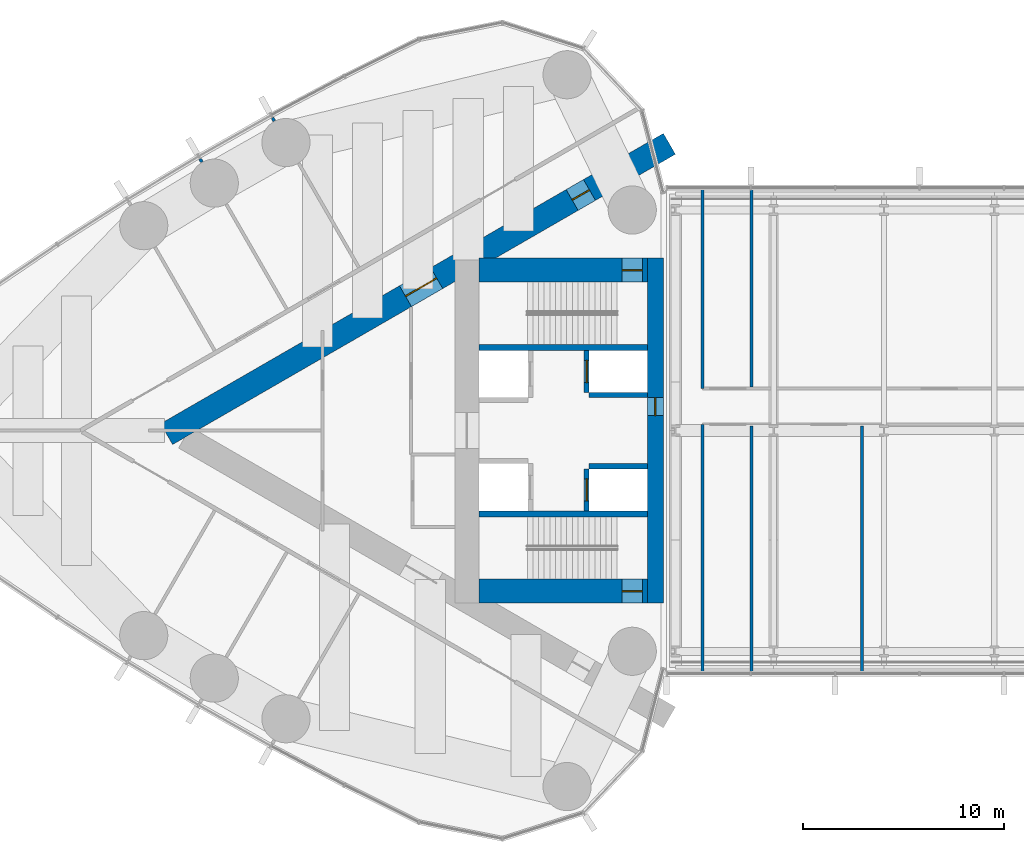
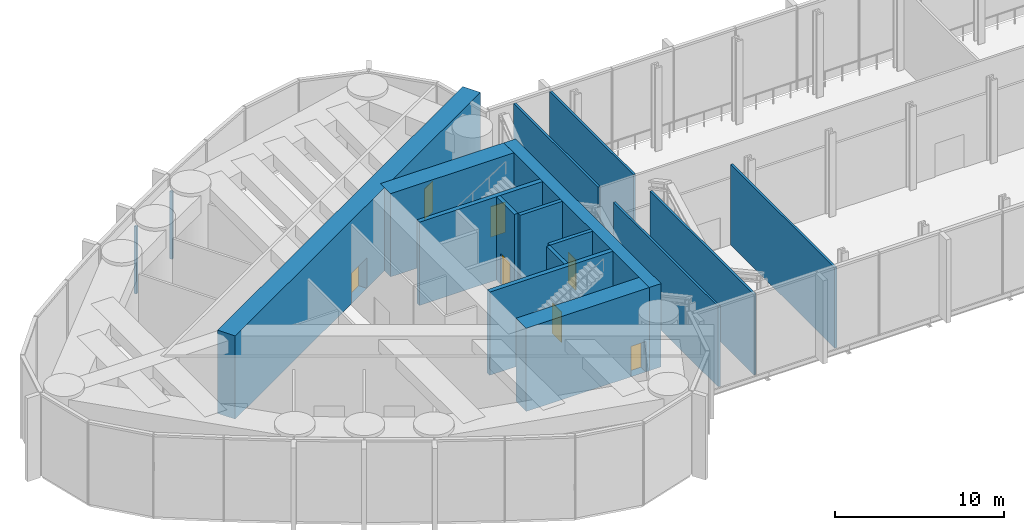
# One storey, part 16 of 21: 17 walls, 7 doors, 7 openings.
"""IFC4 building model written with IfcOpenShell, lengths in metres."""

import ifcopenshell
import ifcopenshell.guid

model = None  # the IFC model being written
_history = None  # IfcOwnerHistory: only IFC2X3 demands one
_inside = {}  # id of a spatial element -> (the spatial element, [elements in it])
_under = {}  # id of a project, library or spatial element -> (it, [spatial elements below it])
_declared = {}  # id of a project -> (the project, [libraries it declares])
_typed = {}  # id of a type object -> (the type object, [elements of that type])
_made_of = {}  # id of a material, layer set ... -> (it, [elements and type objects made of it])


def new_model(schema):
    """Start an empty IFC model of exactly this schema.

    Asked for "IFC4X3", IfcOpenShell would pick the latest addendum, in which some entities
    have other attributes; the version numbers below select the first issue.
    IFC2X3 requires an IfcOwnerHistory on every rooted entity: one is made here for all.
    """
    global model, _history
    if schema == "IFC4X3":
        model = ifcopenshell.file(schema_version=(4, 3, 0, 0))
    else:
        model = ifcopenshell.file(schema=schema)
    _inside.clear()
    _under.clear()
    _declared.clear()
    _typed.clear()
    _made_of.clear()
    _history = None
    if model.schema == "IFC2X3":
        org = make("IfcOrganization", Name="unknown")
        user = make(
            "IfcPersonAndOrganization",
            ThePerson=make("IfcPerson", FamilyName="unknown"),
            TheOrganization=org,
        )
        app = make(
            "IfcApplication",
            ApplicationDeveloper=org,
            Version="unknown",
            ApplicationFullName="unknown",
            ApplicationIdentifier="unknown",
        )
        _history = make(
            "IfcOwnerHistory",
            OwningUser=user,
            OwningApplication=app,
            ChangeAction="ADDED",
            CreationDate=0,
        )
    return model


def make(cls, **values):
    """One entity of the class cls with the attributes given. An attribute that is None is left unset."""
    return model.create_entity(
        cls, **{name: value for name, value in values.items() if value is not None}
    )


def rooted(cls, **values):
    """An entity with a GlobalId (a new one), such as an element, a storey or a relation."""
    return make(cls, GlobalId=ifcopenshell.guid.new(), OwnerHistory=_history, **values)


def si_unit(unit_type, name, prefix=None):
    """IfcSIUnit, for example si_unit("LENGTHUNIT", "METRE", prefix="MILLI")."""
    return make("IfcSIUnit", UnitType=unit_type, Prefix=prefix, Name=name)


def assignment(units):
    """IfcUnitAssignment: the units of a project."""
    return None if units is None else make("IfcUnitAssignment", Units=units)


def point(xyz):
    """IfcCartesianPoint."""
    return None if xyz is None else make("IfcCartesianPoint", Coordinates=xyz)


def direction(xyz):
    """IfcDirection."""
    return None if xyz is None else make("IfcDirection", DirectionRatios=xyz)


def frame(location, z_axis=None, x_axis=None):
    """IfcAxis2Placement3D, a coordinate frame: its origin and axes. An axis left out is left unset."""
    return make(
        "IfcAxis2Placement3D",
        Location=point(location),
        Axis=direction(z_axis),
        RefDirection=direction(x_axis),
    )


def frame_2d(location, x_axis=None):
    """IfcAxis2Placement2D, a coordinate frame in the plane: its origin and x axis."""
    return make(
        "IfcAxis2Placement2D", Location=point(location), RefDirection=direction(x_axis)
    )


def origin():
    """The frame at (0, 0, 0) with its axes left unset."""
    return frame((0.0, 0.0, 0.0))


def place(relative_to, where):
    """IfcLocalPlacement: puts the frame where relative to a parent placement (None: the world)."""
    return make(
        "IfcLocalPlacement", PlacementRelTo=relative_to, RelativePlacement=where
    )


def context(
    kind, dimensions, precision=None, world=None, true_north=None, identifier=None
):
    """IfcGeometricRepresentationContext, for example the 3D "Model" context."""
    return make(
        "IfcGeometricRepresentationContext",
        ContextIdentifier=identifier,
        ContextType=kind,
        CoordinateSpaceDimension=dimensions,
        Precision=precision,
        WorldCoordinateSystem=world,
        TrueNorth=true_north,
    )


def subcontext(parent, identifier, kind, view, scale=None):
    """IfcGeometricRepresentationSubContext, for example "Body" below "Model"."""
    return make(
        "IfcGeometricRepresentationSubContext",
        ContextIdentifier=identifier,
        ContextType=kind,
        ParentContext=parent,
        TargetScale=scale,
        TargetView=view,
    )


def project(units=None, contexts=None):
    """IfcProject with its units and contexts."""
    return rooted(
        "IfcProject",
        Name="project",
        RepresentationContexts=contexts,
        UnitsInContext=assignment(units),
    )


def spatial(cls, under=None, at=None, **own):
    """A site, building, storey or space (cls), placed at a placement, below another one or the project."""
    s = rooted(cls, ObjectPlacement=at, **own)
    if under is not None:
        _under.setdefault(under.id(), (under, []))[1].append(s)
    return s


def profile(cls, at=None, kind="AREA", **sizes):
    """A parametric profile (cls). Its sizes go by their IFC names, for example OverallWidth=200.0."""
    return make(cls, ProfileType=kind, Position=at, **sizes)


def rectangle(**sizes):
    """IfcRectangleProfileDef."""
    return profile("IfcRectangleProfileDef", **sizes)


def extrude(swept, where, along, depth):
    """IfcExtrudedAreaSolid: the profile swept, set in the frame where, extruded along a direction by depth."""
    return make(
        "IfcExtrudedAreaSolid",
        SweptArea=swept,
        Position=where,
        ExtrudedDirection=direction(along),
        Depth=depth,
    )


def shape(context_of_items, identifier, shape_type, items):
    """IfcShapeRepresentation: the items that make up one representation, for example the "Body"."""
    return make(
        "IfcShapeRepresentation",
        ContextOfItems=context_of_items,
        RepresentationIdentifier=identifier,
        RepresentationType=shape_type,
        Items=items,
    )


def material(Name=None, Category=None):
    """IfcMaterial."""
    return make("IfcMaterial", Name=Name, Category=Category)


def layer(
    of_material, thickness, ventilated=None, Name=None, Category=None, Priority=None
):
    """IfcMaterialLayer: one layer of a wall or slab, of a material (None: an air gap)."""
    return make(
        "IfcMaterialLayer",
        Material=of_material,
        LayerThickness=thickness,
        IsVentilated=ventilated,
        Name=Name,
        Category=Category,
        Priority=Priority,
    )


def layer_set(layers, Name=None):
    """IfcMaterialLayerSet."""
    return make("IfcMaterialLayerSet", MaterialLayers=layers, LayerSetName=Name)


def made_of(thing, what):
    """Note that an element or type object is made of a material, layer set ...; save() writes the relation."""
    if what is not None:
        _made_of.setdefault(what.id(), (what, []))[1].append(thing)
    return thing


def type_object(cls, material=None, **own):
    """A type object (cls), such as IfcWallType, which elements share."""
    return made_of(rooted(cls, **own), material)


def element(
    cls,
    number,
    at=None,
    inside=None,
    cuts=None,
    type_object=None,
    material=None,
    context=None,
    identifier="Body",
    shape_type=None,
    held_by="IfcProductDefinitionShape",
    body=None,
    shapes=None,
    **own,
):
    """One element of the class cls, such as IfcWall. Its Tag is "e" and its number.

    at: its placement. inside: the storey or other place that contains it. cuts: it is an
    opening in that element (IfcRelVoidsElement). A single representation is given by context,
    identifier, shape_type and body (its items); several are given by shapes. held_by: the class
    of the entity that holds the representations. save() writes the other relations.
    """
    e = rooted(cls, Tag="e%d" % number, ObjectPlacement=at, **own)
    if body is not None:
        shapes = [shape(context, identifier, shape_type, body)]
    if shapes is not None:
        e.Representation = make(held_by, Representations=shapes)
    if inside is not None:
        _inside.setdefault(inside.id(), (inside, []))[1].append(e)
    if cuts is not None:
        rooted(
            "IfcRelVoidsElement", RelatingBuildingElement=cuts, RelatedOpeningElement=e
        )
    if type_object is not None:
        _typed.setdefault(type_object.id(), (type_object, []))[1].append(e)
    return made_of(e, material)


def fill(opening, filler):
    """IfcRelFillsElement: the door or window that sits in an opening."""
    return rooted(
        "IfcRelFillsElement",
        RelatingOpeningElement=opening,
        RelatedBuildingElement=filler,
    )


def aggregate(whole, parts):
    """IfcRelAggregates: a whole, such as a stair, and the parts it consists of."""
    return rooted("IfcRelAggregates", RelatingObject=whole, RelatedObjects=parts)


def save(model, path):
    """Write the relations noted so far, then the file.

    IfcRelAggregates (storeys below a building ...), IfcRelContainedInSpatialStructure (elements
    in a storey), IfcRelDefinesByType, IfcRelAssociatesMaterial and IfcRelDeclares: one each for
    every whole, place, type object, material and project.
    """
    for whole, parts in _under.values():
        aggregate(whole, parts)
    for where, things in _inside.values():
        rooted(
            "IfcRelContainedInSpatialStructure",
            RelatedElements=things,
            RelatingStructure=where,
        )
    for kind, things in _typed.values():
        rooted("IfcRelDefinesByType", RelatedObjects=things, RelatingType=kind)
    for what, things in _made_of.values():
        rooted("IfcRelAssociatesMaterial", RelatedObjects=things, RelatingMaterial=what)
    for by, libraries in _declared.values():
        rooted("IfcRelDeclares", RelatingContext=by, RelatedDefinitions=libraries)
    model.write(path)


model = new_model("IFC4")

# Units and contexts
model_context = context("Model", 3, precision=1e-05, world=origin(), true_north=direction((0.0, 1.0)))
body_context = subcontext(model_context, "Body", "Model", "MODEL_VIEW")
ifc_project = project(units=[si_unit("LENGTHUNIT", "METRE"), si_unit("AREAUNIT", "SQUARE_METRE"), si_unit("VOLUMEUNIT", "CUBIC_METRE"), si_unit("PLANEANGLEUNIT", "RADIAN"), si_unit("MASSUNIT", "GRAM", prefix="KILO")], contexts=[model_context])

# Site, building, storey
site_placement = place(None, origin())
site = spatial("IfcSite", under=ifc_project, at=site_placement, CompositionType="ELEMENT")
building_placement = place(site_placement, origin())
building = spatial("IfcBuilding", under=site, at=building_placement, Name="Lancet Gate Hotel", CompositionType="ELEMENT")
storey_placement = place(building_placement, frame((0.0, 0.0, 257.300048828125)))
storey = spatial("IfcBuildingStorey", under=building, at=storey_placement, Name="L68", CompositionType="ELEMENT", Elevation=257.300048828125)

# Wall, openings, doors
ifc_material_1 = material(Name="Concrete C70/85", Category="concrete")
ifc_layer_1 = layer(ifc_material_1, 1.199951171875)
ifc_layer_set_1 = layer_set([ifc_layer_1], Name="Buttress wall 1200")
wall_type_1 = type_object("IfcWallType", Name="Buttress wall 1200", PredefinedType="SHEAR", material=ifc_layer_set_1)
wall_1_placement = place(storey_placement, frame((-27.199951171875, 14.300048828125, 0.0), z_axis=(0.0, 0.0, 1.0), x_axis=(-0.866026593062, -0.499997940104, 0.0)))
wall_1 = element("IfcWall", 1, at=wall_1_placement, inside=storey, type_object=wall_type_1, Name="T1 buttress wall S L68", PredefinedType="SHEAR", context=body_context, shape_type="SweptSolid", body=[
    extrude(rectangle(XDim=28.9462890625, YDim=1.199951171875, at=frame_2d((14.47314453125, 0.0))), origin(), (0.0, 0.0, 1.0), 6.0),
])
opening_1_placement = place(wall_1_placement, frame((4.60009765625, 0.0, 0.0)))
opening_1 = element("IfcOpeningElement", 2, at=opening_1_placement, cuts=wall_1, Name="Opening T1-L68-LS", PredefinedType="OPENING", context=body_context, shape_type="SweptSolid", body=[
    extrude(rectangle(XDim=1.0, YDim=2.199951171875, at=frame_2d((0.5, 1.10009765625))), frame((0.0, 0.60986328125, 0.0), z_axis=(0.0, -1.0, 0.0), x_axis=(1.0, 0.0, 0.0)), (0.0, 0.0, 1.0), 1.219970703125),
])
opening_2_placement = place(wall_1_placement, frame((13.39453125, 0.0, 0.0)))
opening_2 = element("IfcOpeningElement", 3, at=opening_2_placement, cuts=wall_1, Name="Opening T1-L68-LHS", PredefinedType="OPENING", context=body_context, shape_type="SweptSolid", body=[
    extrude(rectangle(XDim=1.800048828125, YDim=2.199951171875, at=frame_2d((0.89990234375, 1.10009765625))), frame((0.0, 0.60986328125, 0.0), z_axis=(0.0, -1.0, 0.0), x_axis=(1.0, 0.0, 0.0)), (0.0, 0.0, 1.0), 1.219970703125),
])
ifc_material_2 = material(Name="Timber door set", Category="wood")
door_type_1 = type_object("IfcDoorType", Name="Lobby double door 1800", OperationType="DOUBLE_DOOR_SINGLE_SWING", PredefinedType="DOOR", material=ifc_material_2)
door_1_placement = place(opening_2_placement, origin())
door_1 = element("IfcDoor", 4, at=door_1_placement, inside=storey, type_object=door_type_1, Name="T1-L68-LHS", OperationType="DOUBLE_DOOR_SINGLE_SWING", OverallHeight=2.199951171875, OverallWidth=1.800048828125, PredefinedType="DOOR", context=body_context, shape_type="SweptSolid", body=[
    extrude(rectangle(XDim=1.800048828125, YDim=2.199951171875, at=frame_2d((0.89990234375, 1.10009765625))), frame((0.0, 0.02490234375, 0.0), z_axis=(0.0, -1.0, 0.0), x_axis=(1.0, 0.0, 0.0)), (0.0, 0.0, 1.0), 0.050048828125),
])
fill(opening_2, door_1)
ifc_material_3 = material(Name="Timber door set", Category="wood")
door_type_2 = type_object("IfcDoorType", Name="Stair lobby door 1000", OperationType="SINGLE_SWING_LEFT", PredefinedType="DOOR", material=ifc_material_3)
door_2_placement = place(opening_1_placement, origin())
door_2 = element("IfcDoor", 5, at=door_2_placement, inside=storey, type_object=door_type_2, Name="T1-L68-LS", OperationType="SINGLE_SWING_LEFT", OverallHeight=2.199951171875, OverallWidth=1.0, PredefinedType="DOOR", context=body_context, shape_type="SweptSolid", body=[
    extrude(rectangle(XDim=1.0, YDim=2.199951171875, at=frame_2d((0.5, 1.10009765625))), frame((0.0, 0.02490234375, 0.0), z_axis=(0.0, -1.0, 0.0), x_axis=(1.0, 0.0, 0.0)), (0.0, 0.0, 1.0), 0.050048828125),
])
fill(opening_1, door_2)

# Wall, opening, door
ifc_material_4 = material(Name="Concrete C70/85", Category="concrete")
ifc_layer_2 = layer(ifc_material_4, 1.199951171875)
ifc_layer_set_2 = layer_set([ifc_layer_2], Name="Core wall 1200")
wall_type_2 = type_object("IfcWallType", Name="Core wall 1200", PredefinedType="SHEAR", material=ifc_layer_set_2)
wall_2_placement = place(storey_placement, frame((-28.300048828125, 8.0, 0.0), z_axis=(0.0, 0.0, 1.0), x_axis=(-1.0, 0.0, 0.0)))
wall_2 = element("IfcWall", 6, at=wall_2_placement, inside=storey, type_object=wall_type_2, Name="T1 core wall side-S L68", PredefinedType="SHEAR", context=body_context, shape_type="SweptSolid", body=[
    extrude(rectangle(XDim=8.39990234375, YDim=1.199951171875, at=frame_2d((4.199951171875, 0.0))), origin(), (0.0, 0.0, 1.0), 6.0),
])
opening_3_placement = place(wall_2_placement, frame((0.25, 0.0, 0.0)))
opening_3 = element("IfcOpeningElement", 7, at=opening_3_placement, cuts=wall_2, Name="Opening T1-L68-ST1", PredefinedType="OPENING", context=body_context, shape_type="SweptSolid", body=[
    extrude(rectangle(XDim=1.0, YDim=2.199951171875, at=frame_2d((0.5, 1.10009765625))), frame((0.0, 0.60986328125, 0.0), z_axis=(0.0, -1.0, 0.0), x_axis=(1.0, 0.0, 0.0)), (0.0, 0.0, 1.0), 1.219970703125),
])
ifc_material_5 = material(Name="Timber door set", Category="wood")
door_type_3 = type_object("IfcDoorType", Name="Stair door 1000", OperationType="SINGLE_SWING_RIGHT", PredefinedType="DOOR", material=ifc_material_5)
door_3_placement = place(opening_3_placement, origin())
door_3 = element("IfcDoor", 8, at=door_3_placement, inside=storey, type_object=door_type_3, Name="T1-L68-ST1", OperationType="SINGLE_SWING_RIGHT", OverallHeight=2.199951171875, OverallWidth=1.0, PredefinedType="DOOR", context=body_context, shape_type="SweptSolid", body=[
    extrude(rectangle(XDim=1.0, YDim=2.199951171875, at=frame_2d((0.5, 1.10009765625))), frame((0.0, 0.02490234375, 0.0), z_axis=(0.0, -1.0, 0.0), x_axis=(1.0, 0.0, 0.0)), (0.0, 0.0, 1.0), 0.050048828125),
])
fill(opening_3, door_3)

wall_3_placement = place(storey_placement, frame((-28.300048828125, -8.0, 0.0), z_axis=(0.0, 0.0, 1.0), x_axis=(-1.0, 0.0, 0.0)))
wall_3 = element("IfcWall", 9, at=wall_3_placement, inside=storey, type_object=wall_type_2, Name="T1 core wall side-N L68", PredefinedType="SHEAR", context=body_context, shape_type="SweptSolid", body=[
    extrude(rectangle(XDim=8.39990234375, YDim=1.199951171875, at=frame_2d((4.199951171875, 0.0))), origin(), (0.0, 0.0, 1.0), 6.0),
])
opening_4_placement = place(wall_3_placement, frame((0.25, 0.0, 0.0)))
opening_4 = element("IfcOpeningElement", 10, at=opening_4_placement, cuts=wall_3, Name="Opening T1-L68-ST2", PredefinedType="OPENING", context=body_context, shape_type="SweptSolid", body=[
    extrude(rectangle(XDim=1.0, YDim=2.199951171875, at=frame_2d((0.5, 1.10009765625))), frame((0.0, 0.60986328125, 0.0), z_axis=(0.0, -1.0, 0.0), x_axis=(1.0, 0.0, 0.0)), (0.0, 0.0, 1.0), 1.219970703125),
])
door_4_placement = place(opening_4_placement, origin())
door_4 = element("IfcDoor", 11, at=door_4_placement, inside=storey, type_object=door_type_3, Name="T1-L68-ST2", OperationType="SINGLE_SWING_RIGHT", OverallHeight=2.199951171875, OverallWidth=1.0, PredefinedType="DOOR", context=body_context, shape_type="SweptSolid", body=[
    extrude(rectangle(XDim=1.0, YDim=2.199951171875, at=frame_2d((0.5, 1.10009765625))), frame((0.0, 0.02490234375, 0.0), z_axis=(0.0, -1.0, 0.0), x_axis=(1.0, 0.0, 0.0)), (0.0, 0.0, 1.0), 0.050048828125),
])
fill(opening_4, door_4)

ifc_material_6 = material(Name="Concrete C70/85", Category="concrete")
ifc_layer_3 = layer(ifc_material_6, 0.800048828125)
ifc_layer_set_3 = layer_set([ifc_layer_3], Name="Core wall 800")
wall_type_3 = type_object("IfcWallType", Name="Core wall 800", PredefinedType="SHEAR", material=ifc_layer_set_3)
wall_4_placement = place(storey_placement, frame((-27.89990234375, 8.60009765625, 0.0), z_axis=(0.0, 0.0, 1.0), x_axis=(0.0, -1.0, 0.0)))
wall_4 = element("IfcWall", 12, at=wall_4_placement, inside=storey, type_object=wall_type_3, Name="T1 core wall front L68", PredefinedType="SHEAR", context=body_context, shape_type="SweptSolid", body=[
    extrude(rectangle(XDim=17.2001953125, YDim=0.800048828125, at=frame_2d((8.60009765625, 0.0))), origin(), (0.0, 0.0, 1.0), 6.0),
])
opening_5_placement = place(wall_4_placement, frame((6.949951171875, 0.0, 0.0)))
opening_5 = element("IfcOpeningElement", 13, at=opening_5_placement, cuts=wall_4, Name="Opening T1-L68-BR", PredefinedType="OPENING", context=body_context, shape_type="SweptSolid", body=[
    extrude(rectangle(XDim=0.89990234375, YDim=2.199951171875, at=frame_2d((0.449951171875, 1.10009765625))), frame((0.0, 0.409912109375, 0.0), z_axis=(0.0, -1.0, 0.0), x_axis=(1.0, 0.0, 0.0)), (0.0, 0.0, 1.0), 0.820068359375),
])
ifc_material_7 = material(Name="Steel door set", Category="steel")
door_type_4 = type_object("IfcDoorType", Name="Bridge fire door 900", OperationType="SINGLE_SWING_LEFT", PredefinedType="DOOR", material=ifc_material_7)
door_5_placement = place(opening_5_placement, origin())
door_5 = element("IfcDoor", 14, at=door_5_placement, inside=storey, type_object=door_type_4, Name="T1-L68-BR", OperationType="SINGLE_SWING_LEFT", OverallHeight=2.199951171875, OverallWidth=0.89990234375, PredefinedType="DOOR", context=body_context, shape_type="SweptSolid", body=[
    extrude(rectangle(XDim=0.89990234375, YDim=2.199951171875, at=frame_2d((0.449951171875, 1.10009765625))), frame((0.0, 0.02490234375, 0.0), z_axis=(0.0, -1.0, 0.0), x_axis=(1.0, 0.0, 0.0)), (0.0, 0.0, 1.0), 0.050048828125),
])
fill(opening_5, door_5)

ifc_material_8 = material(Name="Concrete C50/60", Category="concrete")
ifc_layer_4 = layer(ifc_material_8, 0.25)
ifc_layer_set_4 = layer_set([ifc_layer_4], Name="Lift shaft wall 250")
wall_type_4 = type_object("IfcWallType", Name="Lift shaft wall 250", PredefinedType="SHEAR", material=ifc_layer_set_4)
wall_5_placement = place(storey_placement, frame((-31.324951171875, 4.0, 0.0), z_axis=(0.0, 0.0, 1.0), x_axis=(0.0, -1.0, 0.0)))
wall_5 = element("IfcWall", 15, at=wall_5_placement, inside=storey, type_object=wall_type_4, Name="T1 core wall row1-S L68", PredefinedType="SHEAR", context=body_context, shape_type="SweptSolid", body=[
    extrude(rectangle(XDim=2.10009765625, YDim=0.25, at=frame_2d((1.050048828125, 0.0))), origin(), (0.0, 0.0, 1.0), 6.0),
])
opening_6_placement = place(wall_5_placement, frame((0.5, 0.0, 0.0)))
opening_6 = element("IfcOpeningElement", 16, at=opening_6_placement, cuts=wall_5, Name="Opening T1-SL1-L68", PredefinedType="OPENING", context=body_context, shape_type="SweptSolid", body=[
    extrude(rectangle(XDim=1.10009765625, YDim=2.199951171875, at=frame_2d((0.550048828125, 1.10009765625))), frame((0.0, 0.135009765625, 0.0), z_axis=(0.0, -1.0, 0.0), x_axis=(1.0, 0.0, 0.0)), (0.0, 0.0, 1.0), 0.27001953125),
])
ifc_material_9 = material(Name="Timber door set", Category="wood")
door_type_5 = type_object("IfcDoorType", Name="Service lift landing door 1100", OperationType="SLIDING_TO_LEFT", PredefinedType="USERDEFINED", material=ifc_material_9)
door_6_placement = place(opening_6_placement, origin())
door_6 = element("IfcDoor", 17, at=door_6_placement, inside=storey, type_object=door_type_5, Name="T1-SL1-L68", ObjectType="LIFT LANDING DOOR", OperationType="SLIDING_TO_LEFT", OverallHeight=2.199951171875, OverallWidth=1.10009765625, PredefinedType="USERDEFINED", context=body_context, shape_type="SweptSolid", body=[
    extrude(rectangle(XDim=1.10009765625, YDim=2.199951171875, at=frame_2d((0.550048828125, 1.10009765625))), frame((0.0, 0.02490234375, 0.0), z_axis=(0.0, -1.0, 0.0), x_axis=(1.0, 0.0, 0.0)), (0.0, 0.0, 1.0), 0.050048828125),
])
fill(opening_6, door_6)

# Wall
wall_6_placement = place(storey_placement, frame((-28.300048828125, 1.77490234375, 0.0), z_axis=(0.0, 0.0, 1.0), x_axis=(-1.0, 0.0, 0.0)))
element("IfcWall", 18, at=wall_6_placement, inside=storey, type_object=wall_type_4, Name="T1 core wall pass1-S L68", PredefinedType="SHEAR", context=body_context, shape_type="SweptSolid", body=[
    extrude(rectangle(XDim=2.89990234375, YDim=0.25, at=frame_2d((1.449951171875, 0.0))), origin(), (0.0, 0.0, 1.0), 6.0),
])

# Wall, opening, door
wall_7_placement = place(storey_placement, frame((-31.324951171875, -1.89990234375, 0.0), z_axis=(0.0, 0.0, 1.0), x_axis=(0.0, -1.0, 0.0)))
wall_7 = element("IfcWall", 19, at=wall_7_placement, inside=storey, type_object=wall_type_4, Name="T1 core wall row1-N L68", PredefinedType="SHEAR", context=body_context, shape_type="SweptSolid", body=[
    extrude(rectangle(XDim=2.10009765625, YDim=0.25, at=frame_2d((1.050048828125, 0.0))), origin(), (0.0, 0.0, 1.0), 6.0),
])
opening_7_placement = place(wall_7_placement, frame((0.5, 0.0, 0.0)))
opening_7 = element("IfcOpeningElement", 20, at=opening_7_placement, cuts=wall_7, Name="Opening T1-FL2-L68", PredefinedType="OPENING", context=body_context, shape_type="SweptSolid", body=[
    extrude(rectangle(XDim=1.10009765625, YDim=2.199951171875, at=frame_2d((0.550048828125, 1.10009765625))), frame((0.0, 0.135009765625, 0.0), z_axis=(0.0, -1.0, 0.0), x_axis=(1.0, 0.0, 0.0)), (0.0, 0.0, 1.0), 0.27001953125),
])
ifc_material_10 = material(Name="Steel door set", Category="steel")
door_type_6 = type_object("IfcDoorType", Name="Firefighting lift landing door 1100", OperationType="SLIDING_TO_LEFT", PredefinedType="USERDEFINED", material=ifc_material_10)
door_7_placement = place(opening_7_placement, origin())
door_7 = element("IfcDoor", 21, at=door_7_placement, inside=storey, type_object=door_type_6, Name="T1-FL2-L68", ObjectType="LIFT LANDING DOOR", OperationType="SLIDING_TO_LEFT", OverallHeight=2.199951171875, OverallWidth=1.10009765625, PredefinedType="USERDEFINED", context=body_context, shape_type="SweptSolid", body=[
    extrude(rectangle(XDim=1.10009765625, YDim=2.199951171875, at=frame_2d((0.550048828125, 1.10009765625))), frame((0.0, 0.02490234375, 0.0), z_axis=(0.0, -1.0, 0.0), x_axis=(1.0, 0.0, 0.0)), (0.0, 0.0, 1.0), 0.050048828125),
])
fill(opening_7, door_7)

# Walls
wall_8_placement = place(storey_placement, frame((-28.300048828125, -1.77490234375, 0.0), z_axis=(0.0, 0.0, 1.0), x_axis=(-1.0, 0.0, 0.0)))
element("IfcWall", 22, at=wall_8_placement, inside=storey, type_object=wall_type_4, Name="T1 core wall pass1-N L68", PredefinedType="SHEAR", context=body_context, shape_type="SweptSolid", body=[
    extrude(rectangle(XDim=2.89990234375, YDim=0.25, at=frame_2d((1.449951171875, 0.0))), origin(), (0.0, 0.0, 1.0), 6.0),
])
ifc_material_11 = material(Name="Gypsum board partition")
ifc_layer_5 = layer(ifc_material_11, 0.14990234375)
ifc_layer_set_5 = layer_set([ifc_layer_5], Name="Party wall 150")
wall_type_5 = type_object("IfcWallType", Name="Party wall 150", PredefinedType="PARTITIONING", material=ifc_layer_set_5)
wall_9_placement = place(storey_placement, frame((-46.89794921875, 15.438720703125, 0.0), z_axis=(0.0, 0.0, 1.0), x_axis=(-0.500232303069, 0.865891241997, 0.0)))
element("IfcWall", 23, at=wall_9_placement, inside=storey, type_object=wall_type_5, Name="T1 party wall 150 L68", PredefinedType="PARTITIONING", context=body_context, shape_type="SweptSolid", body=[
    extrude(rectangle(XDim=0.1796875, YDim=0.14990234375, at=frame_2d((0.08984375, 0.0))), origin(), (0.0, 0.0, 1.0), 4.849853515625),
])
wall_10_placement = place(storey_placement, frame((-50.507568359375, 13.392333984375, 0.0), z_axis=(0.0, 0.0, 1.0), x_axis=(-0.499644091975, 0.866230789891, 0.0)))
element("IfcWall", 24, at=wall_10_placement, inside=storey, type_object=wall_type_5, Name="T1 party wall 150 L68", PredefinedType="PARTITIONING", context=body_context, shape_type="SweptSolid", body=[
    extrude(rectangle(XDim=0.179931640625, YDim=0.14990234375, at=frame_2d((0.08984375, 0.0))), origin(), (0.0, 0.0, 1.0), 4.849853515625),
])
ifc_material_12 = material(Name="Gypsum board partition")
ifc_layer_6 = layer(ifc_material_12, 0.14990234375)
ifc_layer_set_6 = layer_set([ifc_layer_6], Name="Service room wall 150")
wall_type_6 = type_object("IfcWallType", Name="Service room wall 150", PredefinedType="PARTITIONING", material=ifc_layer_set_6)
wall_11_placement = place(storey_placement, frame((-25.550048828125, -12.070068359375, 0.0), z_axis=(0.0, 0.0, 1.0), x_axis=(0.0, 1.0, 0.0)))
element("IfcWall", 25, at=wall_11_placement, inside=storey, type_object=wall_type_6, Name="Bridge block service room wall 150 L68", PredefinedType="PARTITIONING", context=body_context, shape_type="SweptSolid", body=[
    extrude(rectangle(XDim=12.3701171875, YDim=0.14990234375, at=frame_2d((6.18505859375, 0.0))), origin(), (0.0, 0.0, 1.0), 5.800048828125),
])
wall_12_placement = place(storey_placement, frame((-25.550048828125, 2.10009765625, 0.0), z_axis=(0.0, 0.0, 1.0), x_axis=(0.0, 1.0, 0.0)))
element("IfcWall", 26, at=wall_12_placement, inside=storey, type_object=wall_type_6, Name="Bridge block service room wall 150 L68", PredefinedType="PARTITIONING", context=body_context, shape_type="SweptSolid", body=[
    extrude(rectangle(XDim=9.969970703125, YDim=0.14990234375, at=frame_2d((4.98486328125, 0.0))), origin(), (0.0, 0.0, 1.0), 5.800048828125),
])
for number, where, z_axis, x_axis, name in (
    (27, (-23.10009765625, -12.070068359375, 0.0), (0.0, 0.0, 1.0), (0.0, 1.0, 0.0), "Bridge block service room wall 150 L68"),
    (28, (-17.60009765625, -12.070068359375, 0.0), (0.0, 0.0, 1.0), (0.0, 1.0, 0.0), "Bridge block service room wall 150 L68"),
):
    element("IfcWall", number, at=place(storey_placement, frame(where, z_axis=z_axis, x_axis=x_axis)), inside=storey, type_object=wall_type_6, Name=name, PredefinedType="PARTITIONING", context=body_context, shape_type="SweptSolid", body=[
        extrude(rectangle(XDim=12.295166015625, YDim=0.14990234375, at=frame_2d((6.1474609375, 0.0))), origin(), (0.0, 0.0, 1.0), 5.800048828125),
    ])
wall_13_placement = place(storey_placement, frame((-23.10009765625, 2.175048828125, 0.0), z_axis=(0.0, 0.0, 1.0), x_axis=(0.0, 1.0, 0.0)))
element("IfcWall", 29, at=wall_13_placement, inside=storey, type_object=wall_type_6, Name="Bridge block service room wall 150 L68", PredefinedType="PARTITIONING", context=body_context, shape_type="SweptSolid", body=[
    extrude(rectangle(XDim=9.89501953125, YDim=0.14990234375, at=frame_2d((4.947509765625, 0.0))), origin(), (0.0, 0.0, 1.0), 5.800048828125),
])
ifc_material_13 = material(Name="Concrete C50/60", Category="concrete")
ifc_layer_7 = layer(ifc_material_13, 0.300048828125)
ifc_layer_set_7 = layer_set([ifc_layer_7], Name="Stair enclosure wall 300")
wall_type_7 = type_object("IfcWallType", Name="Stair enclosure wall 300", PredefinedType="SHEAR", material=ifc_layer_set_7)
for number, where, z_axis, x_axis, name in (
    (30, (-28.300048828125, 4.14990234375, 0.0), (0.0, 0.0, 1.0), (-1.0, 0.0, 0.0), "T1 core wall stair-S L68"),
    (31, (-28.300048828125, -4.14990234375, 0.0), (0.0, 0.0, 1.0), (-1.0, 0.0, 0.0), "T1 core wall stair-N L68"),
):
    element("IfcWall", number, at=place(storey_placement, frame(where, z_axis=z_axis, x_axis=x_axis)), inside=storey, type_object=wall_type_7, Name=name, PredefinedType="SHEAR", context=body_context, shape_type="SweptSolid", body=[
        extrude(rectangle(XDim=8.39990234375, YDim=0.300048828125, at=frame_2d((4.199951171875, 0.0))), origin(), (0.0, 0.0, 1.0), 6.0),
    ])

save(model, "model.ifc")
